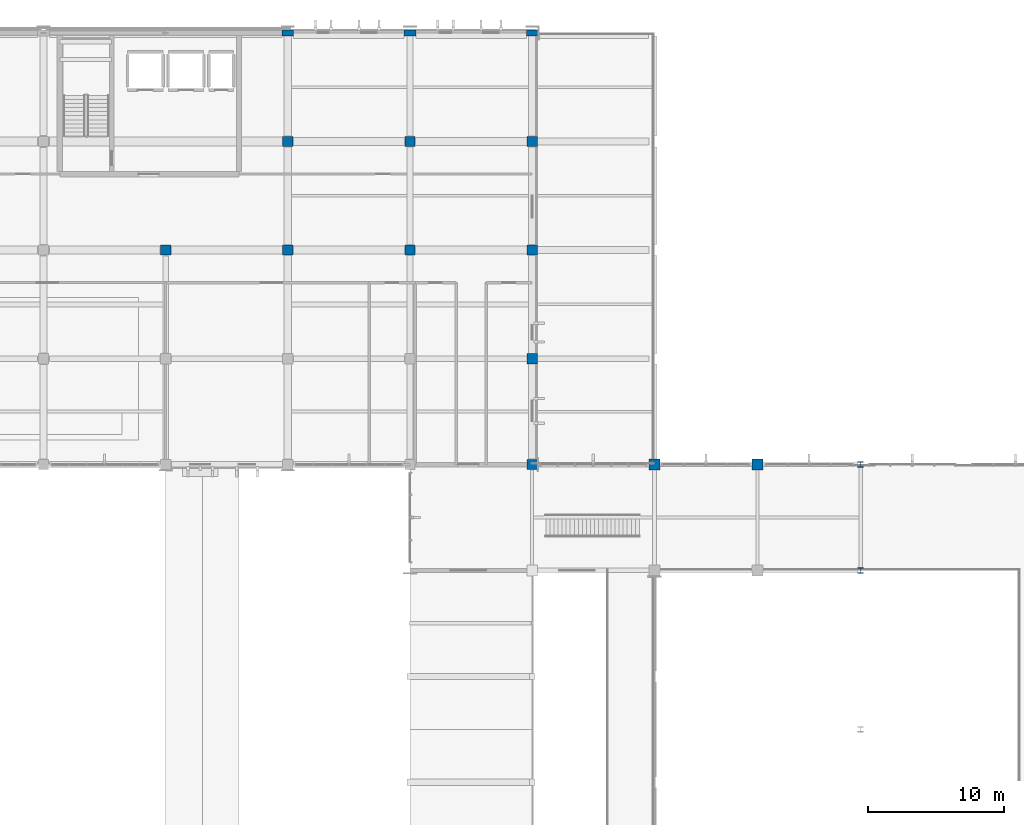
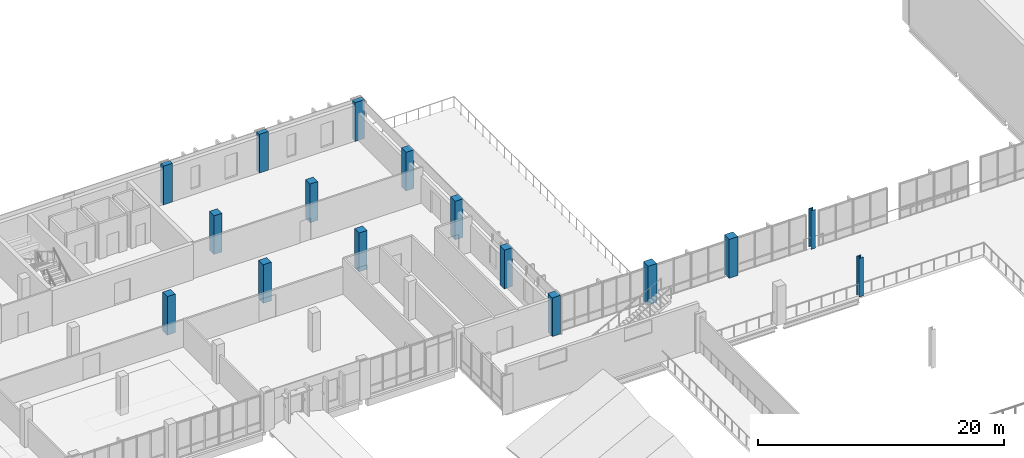
# One storey, part 8 of 64: 16 columns.
"""IFC4 building model written with IfcOpenShell, lengths in metres."""

from ifc_helpers import new_model, si_unit, direction, frame, origin, origin_2d, place, context, subcontext, project, spatial, rectangle, i_section, extrude, material, material_profile, profile_set, type_object, element, save


model = new_model("IFC4")

# Units and contexts
model_context = context("Model", 3, precision=1e-05, world=origin(), true_north=direction((0.0, 1.0)))
body_context = subcontext(model_context, "Body", "Model", "MODEL_VIEW")
ifc_project = project(units=[si_unit("LENGTHUNIT", "METRE"), si_unit("AREAUNIT", "SQUARE_METRE"), si_unit("VOLUMEUNIT", "CUBIC_METRE"), si_unit("PLANEANGLEUNIT", "RADIAN"), si_unit("MASSUNIT", "GRAM", prefix="KILO")], contexts=[model_context])

# Site, building, storey
site_placement = place(None, origin())
site = spatial("IfcSite", under=ifc_project, at=site_placement, CompositionType="ELEMENT")
building_placement = place(site_placement, origin())
building = spatial("IfcBuilding", under=site, at=building_placement, Name="Vervanel Yard Central Library", CompositionType="ELEMENT")
storey_placement = place(building_placement, frame((0.0, 0.0, 8.93994140625)))
storey = spatial("IfcBuildingStorey", under=building, at=storey_placement, Name="L02", CompositionType="ELEMENT", Elevation=8.93994140625)

# Columns
ifc_material_1 = material(Name="Concrete C40/50", Category="concrete")
ifc_material_profile_1 = material_profile(ifc_material_1, rectangle(XDim=0.75, YDim=0.75, at=origin_2d()), Name="RC 750x750", Category="concrete")
ifc_profile_set_1 = profile_set([ifc_material_profile_1], Name="Concrete C40/50")
column_type_1 = type_object("IfcColumnType", Name="Concrete Column 750x750", PredefinedType="COLUMN", material=ifc_profile_set_1)
for number, where, z_axis, x_axis, name in (
    (1, (72.0, 98.0, 0.0), (0.0, 0.0, 1.0), (1.0, 0.0, 0.0), "L02 Concrete Column 750x750 (72.0, 98.0)"),
    (2, (81.0, 98.0, 0.0), (0.0, 0.0, 1.0), (1.0, 0.0, 0.0), "L02 Concrete Column 750x750 (81.0, 98.0)"),
    (3, (81.0, 106.0, 0.0), (0.0, 0.0, 1.0), (1.0, 0.0, 0.0), "L02 Concrete Column 750x750 (81.0, 106.0)"),
    (4, (90.0, 98.0, 0.0), (0.0, 0.0, 1.0), (1.0, 0.0, 0.0), "L02 Concrete Column 750x750 (90.0, 98.0)"),
    (5, (90.0, 106.0, 0.0), (0.0, 0.0, 1.0), (1.0, 0.0, 0.0), "L02 Concrete Column 750x750 (90.0, 106.0)"),
    (6, (99.0, 82.199951171875, 0.0), (0.0, 0.0, 1.0), (1.0, 0.0, 0.0), "L02 Concrete Column 750x750 (99.0, 82.2)"),
    (7, (99.0, 90.0, 0.0), (0.0, 0.0, 1.0), (1.0, 0.0, 0.0), "L02 Concrete Column 750x750 (99.0, 90.0)"),
    (8, (99.0, 98.0, 0.0), (0.0, 0.0, 1.0), (1.0, 0.0, 0.0), "L02 Concrete Column 750x750 (99.0, 98.0)"),
    (9, (99.0, 106.0, 0.0), (0.0, 0.0, 1.0), (1.0, 0.0, 0.0), "L02 Concrete Column 750x750 (99.0, 106.0)"),
):
    element("IfcColumn", number, at=place(storey_placement, frame(where, z_axis=z_axis, x_axis=x_axis)), inside=storey, type_object=column_type_1, Name=name, PredefinedType="COLUMN", context=body_context, shape_type="SweptSolid", body=[
        extrude(rectangle(XDim=0.75, YDim=0.75, at=origin_2d()), origin(), (0.0, 0.0, 1.0), 3.840087890625),
    ])
ifc_material_2 = material(Name="Concrete C45/55", Category="concrete")
ifc_material_profile_2 = material_profile(ifc_material_2, rectangle(XDim=0.800048828125, YDim=0.800048828125, at=origin_2d()), Name="RC 800x800", Category="concrete")
ifc_profile_set_2 = profile_set([ifc_material_profile_2], Name="Concrete C45/55")
column_type_2 = type_object("IfcColumnType", Name="Concrete Column 800x800", PredefinedType="COLUMN", material=ifc_profile_set_2)
for number, where, z_axis, x_axis, name in (
    (10, (108.0, 82.199951171875, 0.0), (0.0, 0.0, 1.0), (1.0, 0.0, 0.0), "L02 Concrete Column 800x800 (108.0, 82.2)"),
    (11, (115.60009765625, 82.199951171875, 0.0), (0.0, 0.0, 1.0), (1.0, 0.0, 0.0), "L02 Concrete Column 800x800 (115.6, 82.2)"),
):
    element("IfcColumn", number, at=place(storey_placement, frame(where, z_axis=z_axis, x_axis=x_axis)), inside=storey, type_object=column_type_2, Name=name, PredefinedType="COLUMN", context=body_context, shape_type="SweptSolid", body=[
        extrude(rectangle(XDim=0.800048828125, YDim=0.800048828125, at=origin_2d()), origin(), (0.0, 0.0, 1.0), 3.840087890625),
    ])
ifc_material_profile_3 = material_profile(ifc_material_2, rectangle(XDim=0.449951171875, YDim=0.85009765625, at=origin_2d()), Name="RC 450x850", Category="concrete")
ifc_profile_set_3 = profile_set([ifc_material_profile_3], Name="Concrete C45/55")
column_type_3 = type_object("IfcColumnType", Name="Stack Spine Column 450x850", PredefinedType="COLUMN", material=ifc_profile_set_3)
for number, where, z_axis, x_axis, name in (
    (12, (81.0, 114.0, 0.0), (0.0, 0.0, 1.0), (0.0, 1.0, 0.0), "L02 Stack Spine Column 450x850 (81.0, 114.0)"),
    (13, (90.0, 114.0, 0.0), (0.0, 0.0, 1.0), (0.0, 1.0, 0.0), "L02 Stack Spine Column 450x850 (90.0, 114.0)"),
    (14, (99.0, 114.0, 0.0), (0.0, 0.0, 1.0), (0.0, 1.0, 0.0), "L02 Stack Spine Column 450x850 (99.0, 114.0)"),
):
    element("IfcColumn", number, at=place(storey_placement, frame(where, z_axis=z_axis, x_axis=x_axis)), inside=storey, type_object=column_type_3, Name=name, PredefinedType="COLUMN", context=body_context, shape_type="SweptSolid", body=[
        extrude(rectangle(XDim=0.449951171875, YDim=0.85009765625, at=origin_2d()), origin(), (0.0, 0.0, 1.0), 3.840087890625),
    ])
ifc_material_3 = material(Name="Steel ASTM A992 Grade 50", Category="steel")
ifc_material_profile_4 = material_profile(ifc_material_3, i_section(OverallWidth=0.4013671875, OverallDepth=0.398681640625, WebThickness=0.02490234375, FlangeThickness=0.03955078125, at=origin_2d()), Name="W14X211", Category="steel")
ifc_profile_set_4 = profile_set([ifc_material_profile_4], Name="Steel ASTM A992 Grade 50")
column_type_4 = type_object("IfcColumnType", Name="Steel Tie-Down Column W14X211", PredefinedType="COLUMN", material=ifc_profile_set_4)
for number, where, z_axis, x_axis, name in (
    (15, (123.199951171875, 74.39990234375, 0.0), (0.0, 0.0, 1.0), (1.0, 0.0, 0.0), "L02 Steel Tie-Down Column W14X211 (123.2, 74.4)"),
    (16, (123.199951171875, 82.199951171875, 0.0), (0.0, 0.0, 1.0), (1.0, 0.0, 0.0), "L02 Steel Tie-Down Column W14X211 (123.2, 82.2)"),
):
    element("IfcColumn", number, at=place(storey_placement, frame(where, z_axis=z_axis, x_axis=x_axis)), inside=storey, type_object=column_type_4, Name=name, PredefinedType="COLUMN", context=body_context, shape_type="SweptSolid", body=[
        extrude(i_section(OverallWidth=0.4013671875, OverallDepth=0.398681640625, WebThickness=0.02490234375, FlangeThickness=0.03955078125, at=origin_2d()), origin(), (0.0, 0.0, 1.0), 3.840087890625),
    ])

save(model, "model.ifc")
